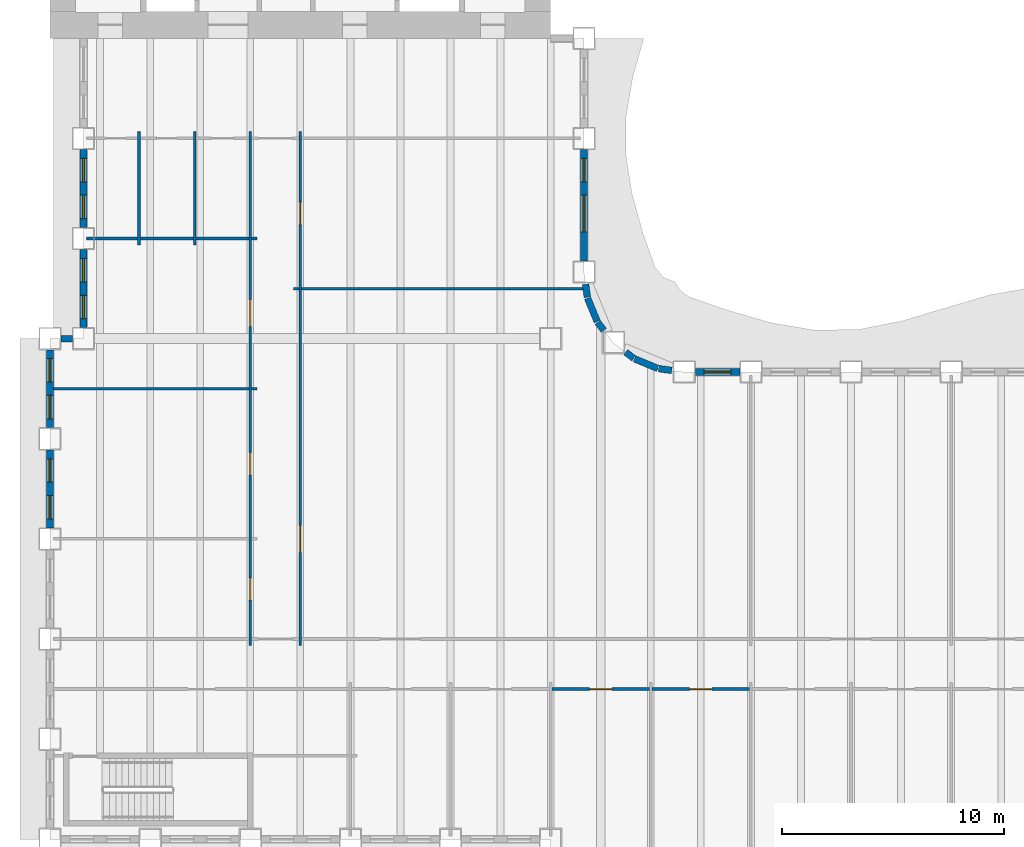
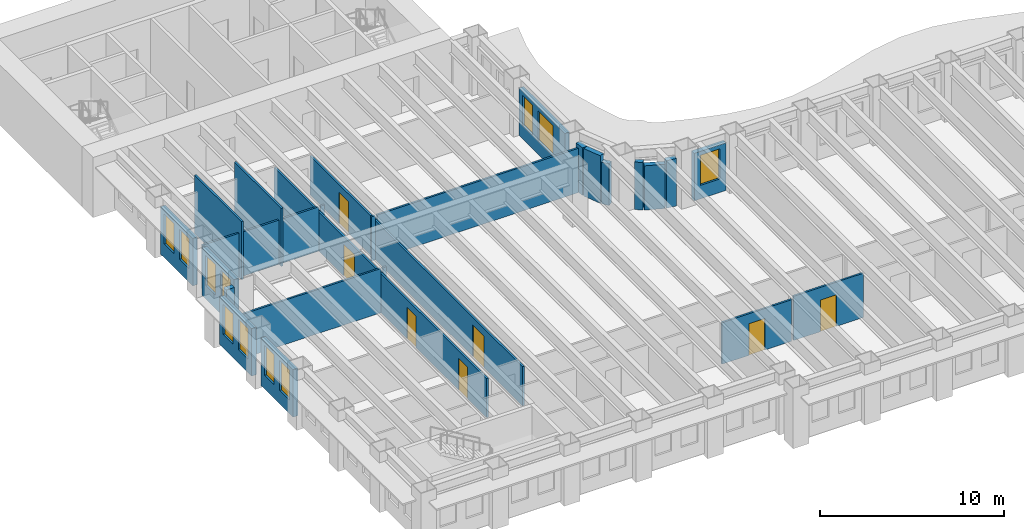
# One storey, part 4 of 16: 27 walls, 11 windows, 7 doors, 18 openings.
"""IFC4 building model written with IfcOpenShell, lengths in metres."""

from ifc_helpers import new_model, si_unit, direction, frame, frame_2d, origin, place, context, subcontext, project, spatial, rectangle, extrude, material, layer, layer_set, type_object, element, fill, save


model = new_model("IFC4")

# Units and contexts
model_context = context("Model", 3, precision=1e-05, world=origin(), true_north=direction((0.0, 1.0)))
body_context = subcontext(model_context, "Body", "Model", "MODEL_VIEW")
ifc_project = project(units=[si_unit("LENGTHUNIT", "METRE"), si_unit("AREAUNIT", "SQUARE_METRE"), si_unit("VOLUMEUNIT", "CUBIC_METRE"), si_unit("PLANEANGLEUNIT", "RADIAN"), si_unit("MASSUNIT", "GRAM", prefix="KILO")], contexts=[model_context])

# Site, building, storey
site_placement = place(None, origin())
site = spatial("IfcSite", under=ifc_project, at=site_placement, CompositionType="ELEMENT")
building_placement = place(site_placement, origin())
building = spatial("IfcBuilding", under=site, at=building_placement, Name="Sennacour Bend Tower", CompositionType="ELEMENT")
storey_placement = place(building_placement, frame((0.0, 0.0, 107.0)))
storey = spatial("IfcBuildingStorey", under=building, at=storey_placement, Name="L24", CompositionType="ELEMENT", Elevation=107.0)

# Walls
ifc_material_1 = material(Name="Plasterboard partition on steel studs", Category="steel")
ifc_layer_1 = layer(ifc_material_1, 0.1201171875, Name="Plasterboard partition on steel studs", Category="steel")
ifc_layer_set_1 = layer_set([ifc_layer_1], Name="Plasterboard partition on steel studs")
wall_type_1 = type_object("IfcWallType", Name="Partition 120", PredefinedType="PARTITIONING", material=ifc_layer_set_1)
for number, where, z_axis, x_axis, name in (
    (1, (4.0, 26.699951171875, 0.0), (0.0, 0.0, 1.0), (0.0, 1.0, 0.0), "P-L24-W004a"),
    (2, (6.5, 26.699951171875, 0.0), (0.0, 0.0, 1.0), (0.0, 1.0, 0.0), "P-L24-W007a"),
):
    element("IfcWall", number, at=place(storey_placement, frame(where, z_axis=z_axis, x_axis=x_axis)), inside=storey, type_object=wall_type_1, Name=name, PredefinedType="PARTITIONING", context=body_context, shape_type="SweptSolid", body=[
        extrude(rectangle(XDim=5.10009765625, YDim=0.1201171875, at=frame_2d((2.550048828125, 0.0))), origin(), (0.0, 0.0, 1.0), 3.85009765625),
    ])

# Wall, openings, doors
wall_1_placement = place(storey_placement, frame((9.0, 8.699951171875, 0.0), z_axis=(0.0, 0.0, 1.0), x_axis=(0.0, 1.0, 0.0)))
wall_1 = element("IfcWall", 3, at=wall_1_placement, inside=storey, type_object=wall_type_1, Name="P-L24-W010a", PredefinedType="PARTITIONING", context=body_context, shape_type="SweptSolid", body=[
    extrude(rectangle(XDim=23.10009765625, YDim=0.1201171875, at=frame_2d((11.550048828125, 0.0))), origin(), (0.0, 0.0, 1.0), 2.60009765625),
])
opening_1_placement = place(wall_1_placement, frame((2.050048828125, 0.0, 0.0)))
opening_1 = element("IfcOpeningElement", 4, at=opening_1_placement, cuts=wall_1, Name="Opening OD2", PredefinedType="OPENING", context=body_context, shape_type="SweptSolid", body=[
    extrude(rectangle(XDim=1.0, YDim=2.10009765625, at=frame_2d((0.5, 1.050048828125))), frame((0.0, 0.070068359375, 0.0), z_axis=(0.0, -1.0, 0.0), x_axis=(1.0, 0.0, 0.0)), (0.0, 0.0, 1.0), 0.14013671875),
])
opening_2_placement = place(wall_1_placement, frame((7.675048828125, 0.0, 0.0)))
opening_2 = element("IfcOpeningElement", 5, at=opening_2_placement, cuts=wall_1, Name="Opening OD2", PredefinedType="OPENING", context=body_context, shape_type="SweptSolid", body=[
    extrude(rectangle(XDim=1.0, YDim=2.10009765625, at=frame_2d((0.5, 1.050048828125))), frame((0.0, 0.070068359375, 0.0), z_axis=(0.0, -1.0, 0.0), x_axis=(1.0, 0.0, 0.0)), (0.0, 0.0, 1.0), 0.14013671875),
])
opening_3_placement = place(wall_1_placement, frame((14.35498046875, 0.0, 0.0)))
opening_3 = element("IfcOpeningElement", 6, at=opening_3_placement, cuts=wall_1, Name="Opening MD", PredefinedType="OPENING", context=body_context, shape_type="SweptSolid", body=[
    extrude(rectangle(XDim=1.199951171875, YDim=2.10009765625, at=frame_2d((0.60009765625, 1.050048828125))), frame((0.0, 0.070068359375, 0.0), z_axis=(0.0, -1.0, 0.0), x_axis=(1.0, 0.0, 0.0)), (0.0, 0.0, 1.0), 0.14013671875),
])
ifc_material_2 = material(Name="Timber", Category="wood")
door_type_1 = type_object("IfcDoorType", Name="DR-MEETING-1200", OperationType="NOTDEFINED", PredefinedType="DOOR", material=ifc_material_2)
door_1_placement = place(opening_3_placement, origin())
door_1 = element("IfcDoor", 7, at=door_1_placement, inside=storey, type_object=door_type_1, Name="Door", OperationType="SINGLE_SWING_RIGHT", OverallHeight=2.10009765625, OverallWidth=1.199951171875, PredefinedType="DOOR", context=body_context, shape_type="SweptSolid", body=[
    extrude(rectangle(XDim=1.199951171875, YDim=2.10009765625, at=frame_2d((0.60009765625, 1.050048828125))), frame((0.0, 0.02490234375, 0.0), z_axis=(0.0, -1.0, 0.0), x_axis=(1.0, 0.0, 0.0)), (0.0, 0.0, 1.0), 0.050048828125),
])
fill(opening_3, door_1)
door_type_2 = type_object("IfcDoorType", Name="DR-OFFICE-1000", OperationType="NOTDEFINED", PredefinedType="DOOR", material=ifc_material_2)
door_2_placement = place(opening_1_placement, origin())
door_2 = element("IfcDoor", 8, at=door_2_placement, inside=storey, type_object=door_type_2, Name="Door", OperationType="SINGLE_SWING_LEFT", OverallHeight=2.10009765625, OverallWidth=1.0, PredefinedType="DOOR", context=body_context, shape_type="SweptSolid", body=[
    extrude(rectangle(XDim=1.0, YDim=2.10009765625, at=frame_2d((0.5, 1.050048828125))), frame((0.0, 0.02490234375, 0.0), z_axis=(0.0, -1.0, 0.0), x_axis=(1.0, 0.0, 0.0)), (0.0, 0.0, 1.0), 0.050048828125),
])
fill(opening_1, door_2)
door_3_placement = place(opening_2_placement, origin())
door_3 = element("IfcDoor", 9, at=door_3_placement, inside=storey, type_object=door_type_2, Name="Door", OperationType="SINGLE_SWING_LEFT", OverallHeight=2.10009765625, OverallWidth=1.0, PredefinedType="DOOR", context=body_context, shape_type="SweptSolid", body=[
    extrude(rectangle(XDim=1.0, YDim=2.10009765625, at=frame_2d((0.5, 1.050048828125))), frame((0.0, 0.02490234375, 0.0), z_axis=(0.0, -1.0, 0.0), x_axis=(1.0, 0.0, 0.0)), (0.0, 0.0, 1.0), 0.050048828125),
])
fill(opening_2, door_3)

wall_2_placement = place(storey_placement, frame((11.25, 8.699951171875, 0.0), z_axis=(0.0, 0.0, 1.0), x_axis=(0.0, 1.0, 0.0)))
wall_2 = element("IfcWall", 10, at=wall_2_placement, inside=storey, type_object=wall_type_1, Name="P-L24-W012a", PredefinedType="PARTITIONING", context=body_context, shape_type="SweptSolid", body=[
    extrude(rectangle(XDim=23.10009765625, YDim=0.1201171875, at=frame_2d((11.550048828125, 0.0))), origin(), (0.0, 0.0, 1.0), 2.60009765625),
])
opening_4_placement = place(wall_2_placement, frame((18.925048828125, 0.0, 0.0)))
opening_4 = element("IfcOpeningElement", 11, at=opening_4_placement, cuts=wall_2, Name="Opening OD2", PredefinedType="OPENING", context=body_context, shape_type="SweptSolid", body=[
    extrude(rectangle(XDim=1.0, YDim=2.10009765625, at=frame_2d((0.5, 1.050048828125))), frame((0.0, 0.070068359375, 0.0), z_axis=(0.0, -1.0, 0.0), x_axis=(1.0, 0.0, 0.0)), (0.0, 0.0, 1.0), 0.14013671875),
])
opening_5_placement = place(wall_2_placement, frame((4.199951171875, 0.0, 0.0)))
opening_5 = element("IfcOpeningElement", 12, at=opening_5_placement, cuts=wall_2, Name="Opening OD", PredefinedType="OPENING", context=body_context, shape_type="SweptSolid", body=[
    extrude(rectangle(XDim=1.199951171875, YDim=2.10009765625, at=frame_2d((0.60009765625, 1.050048828125))), frame((0.0, 0.070068359375, 0.0), z_axis=(0.0, -1.0, 0.0), x_axis=(1.0, 0.0, 0.0)), (0.0, 0.0, 1.0), 0.14013671875),
])
door_4_placement = place(opening_4_placement, origin())
door_4 = element("IfcDoor", 13, at=door_4_placement, inside=storey, type_object=door_type_2, Name="Door", OperationType="SINGLE_SWING_RIGHT", OverallHeight=2.10009765625, OverallWidth=1.0, PredefinedType="DOOR", context=body_context, shape_type="SweptSolid", body=[
    extrude(rectangle(XDim=1.0, YDim=2.10009765625, at=frame_2d((0.5, 1.050048828125))), frame((0.0, 0.02490234375, 0.0), z_axis=(0.0, -1.0, 0.0), x_axis=(1.0, 0.0, 0.0)), (0.0, 0.0, 1.0), 0.050048828125),
])
fill(opening_4, door_4)
door_type_3 = type_object("IfcDoorType", Name="DR-OFFICE-1200", OperationType="NOTDEFINED", PredefinedType="DOOR", material=ifc_material_2)
door_5_placement = place(opening_5_placement, origin())
door_5 = element("IfcDoor", 14, at=door_5_placement, inside=storey, type_object=door_type_3, Name="Door", OperationType="SINGLE_SWING_LEFT", OverallHeight=2.10009765625, OverallWidth=1.199951171875, PredefinedType="DOOR", context=body_context, shape_type="SweptSolid", body=[
    extrude(rectangle(XDim=1.199951171875, YDim=2.10009765625, at=frame_2d((0.60009765625, 1.050048828125))), frame((0.0, 0.02490234375, 0.0), z_axis=(0.0, -1.0, 0.0), x_axis=(1.0, 0.0, 0.0)), (0.0, 0.0, 1.0), 0.050048828125),
])
fill(opening_5, door_5)

# Wall, opening, door
wall_3_placement = place(storey_placement, frame((22.56005859375, 6.75, 0.0), z_axis=(0.0, 0.0, 1.0), x_axis=(1.0, 0.0, 0.0)))
wall_3 = element("IfcWall", 15, at=wall_3_placement, inside=storey, type_object=wall_type_1, Name="P-L24-W056ad", PredefinedType="PARTITIONING", context=body_context, shape_type="SweptSolid", body=[
    extrude(rectangle(XDim=4.3798828125, YDim=0.1201171875, at=frame_2d((2.18994140625, 0.0))), origin(), (0.0, 0.0, 1.0), 2.760009765625),
])
opening_6_placement = place(wall_3_placement, frame((1.68994140625, 0.0, 0.0)))
opening_6 = element("IfcOpeningElement", 16, at=opening_6_placement, cuts=wall_3, Name="Opening OD2", PredefinedType="OPENING", context=body_context, shape_type="SweptSolid", body=[
    extrude(rectangle(XDim=1.0, YDim=2.10009765625, at=frame_2d((0.5, 1.050048828125))), frame((0.0, 0.070068359375, 0.0), z_axis=(0.0, -1.0, 0.0), x_axis=(1.0, 0.0, 0.0)), (0.0, 0.0, 1.0), 0.14013671875),
])
door_6_placement = place(opening_6_placement, origin())
door_6 = element("IfcDoor", 17, at=door_6_placement, inside=storey, type_object=door_type_2, Name="Door", OperationType="SINGLE_SWING_LEFT", OverallHeight=2.10009765625, OverallWidth=1.0, PredefinedType="DOOR", context=body_context, shape_type="SweptSolid", body=[
    extrude(rectangle(XDim=1.0, YDim=2.10009765625, at=frame_2d((0.5, 1.050048828125))), frame((0.0, 0.02490234375, 0.0), z_axis=(0.0, -1.0, 0.0), x_axis=(1.0, 0.0, 0.0)), (0.0, 0.0, 1.0), 0.050048828125),
])
fill(opening_6, door_6)

wall_4_placement = place(storey_placement, frame((27.06005859375, 6.75, 0.0), z_axis=(0.0, 0.0, 1.0), x_axis=(1.0, 0.0, 0.0)))
wall_4 = element("IfcWall", 18, at=wall_4_placement, inside=storey, type_object=wall_type_1, Name="P-L24-W056ae", PredefinedType="PARTITIONING", context=body_context, shape_type="SweptSolid", body=[
    extrude(rectangle(XDim=4.3798828125, YDim=0.1201171875, at=frame_2d((2.18994140625, 0.0))), origin(), (0.0, 0.0, 1.0), 2.93798828125),
])
opening_7_placement = place(wall_4_placement, frame((1.68994140625, 0.0, 0.0)))
opening_7 = element("IfcOpeningElement", 19, at=opening_7_placement, cuts=wall_4, Name="Opening MD2", PredefinedType="OPENING", context=body_context, shape_type="SweptSolid", body=[
    extrude(rectangle(XDim=1.0, YDim=2.10009765625, at=frame_2d((0.5, 1.050048828125))), frame((0.0, 0.070068359375, 0.0), z_axis=(0.0, -1.0, 0.0), x_axis=(1.0, 0.0, 0.0)), (0.0, 0.0, 1.0), 0.14013671875),
])
door_type_4 = type_object("IfcDoorType", Name="DR-MEETING-1000", OperationType="NOTDEFINED", PredefinedType="DOOR", material=ifc_material_2)
door_7_placement = place(opening_7_placement, origin())
door_7 = element("IfcDoor", 20, at=door_7_placement, inside=storey, type_object=door_type_4, Name="Door", OperationType="SINGLE_SWING_LEFT", OverallHeight=2.10009765625, OverallWidth=1.0, PredefinedType="DOOR", context=body_context, shape_type="SweptSolid", body=[
    extrude(rectangle(XDim=1.0, YDim=2.10009765625, at=frame_2d((0.5, 1.050048828125))), frame((0.0, 0.02490234375, 0.0), z_axis=(0.0, -1.0, 0.0), x_axis=(1.0, 0.0, 0.0)), (0.0, 0.0, 1.0), 0.050048828125),
])
fill(opening_7, door_7)

# Walls
wall_5_placement = place(storey_placement, frame((0.14990234375, 20.25, 0.0), z_axis=(0.0, 0.0, 1.0), x_axis=(1.0, 0.0, 0.0)))
element("IfcWall", 21, at=wall_5_placement, inside=storey, type_object=wall_type_1, Name="P-L24-W068aa", PredefinedType="PARTITIONING", context=body_context, shape_type="SweptSolid", body=[
    extrude(rectangle(XDim=8.7900390625, YDim=0.1201171875, at=frame_2d((4.39501953125, 0.0))), origin(), (0.0, 0.0, 1.0), 2.93798828125),
])
for number, where, z_axis, x_axis, name in (
    (22, (9.06005859375, 20.25, 0.0), (0.0, 0.0, 1.0), (1.0, 0.0, 0.0), "P-L24-W068ab"),
    (23, (10.949951171875, 24.75, 0.0), (0.0, 0.0, 1.0), (1.0, 0.0, 0.0), "P-L24-W070aa"),
):
    element("IfcWall", number, at=place(storey_placement, frame(where, z_axis=z_axis, x_axis=x_axis)), inside=storey, type_object=wall_type_1, Name=name, PredefinedType="PARTITIONING", context=body_context, shape_type="SweptSolid", body=[
        extrude(rectangle(XDim=0.239990234375, YDim=0.1201171875, at=frame_2d((0.1201171875, 0.0))), origin(), (0.0, 0.0, 1.0), 2.93798828125),
    ])
wall_6_placement = place(storey_placement, frame((11.31005859375, 24.75, 0.0), z_axis=(0.0, 0.0, 1.0), x_axis=(1.0, 0.0, 0.0)))
element("IfcWall", 24, at=wall_6_placement, inside=storey, type_object=wall_type_1, Name="P-L24-W070ab", PredefinedType="PARTITIONING", context=body_context, shape_type="SweptSolid", body=[
    extrude(rectangle(XDim=12.637451171875, YDim=0.1201171875, at=frame_2d((6.31884765625, 0.0))), origin(), (0.0, 0.0, 1.0), 2.93798828125),
])
wall_7_placement = place(storey_placement, frame((1.64990234375, 27.0, 0.0), z_axis=(0.0, 0.0, 1.0), x_axis=(1.0, 0.0, 0.0)))
element("IfcWall", 25, at=wall_7_placement, inside=storey, type_object=wall_type_1, Name="P-L24-W072aa", PredefinedType="PARTITIONING", context=body_context, shape_type="SweptSolid", body=[
    extrude(rectangle(XDim=2.2900390625, YDim=0.1201171875, at=frame_2d((1.14501953125, 0.0))), origin(), (0.0, 0.0, 1.0), 2.93798828125),
])
for number, where, z_axis, x_axis, name in (
    (26, (4.06005859375, 27.0, 0.0), (0.0, 0.0, 1.0), (1.0, 0.0, 0.0), "P-L24-W072ab"),
    (27, (6.56005859375, 27.0, 0.0), (0.0, 0.0, 1.0), (1.0, 0.0, 0.0), "P-L24-W072ac"),
):
    element("IfcWall", number, at=place(storey_placement, frame(where, z_axis=z_axis, x_axis=x_axis)), inside=storey, type_object=wall_type_1, Name=name, PredefinedType="PARTITIONING", context=body_context, shape_type="SweptSolid", body=[
        extrude(rectangle(XDim=2.3798828125, YDim=0.1201171875, at=frame_2d((1.18994140625, 0.0))), origin(), (0.0, 0.0, 1.0), 2.93798828125),
    ])
wall_8_placement = place(storey_placement, frame((9.06005859375, 27.0, 0.0), z_axis=(0.0, 0.0, 1.0), x_axis=(1.0, 0.0, 0.0)))
element("IfcWall", 28, at=wall_8_placement, inside=storey, type_object=wall_type_1, Name="P-L24-W072ad", PredefinedType="PARTITIONING", context=body_context, shape_type="SweptSolid", body=[
    extrude(rectangle(XDim=0.239990234375, YDim=0.1201171875, at=frame_2d((0.1201171875, 0.0))), origin(), (0.0, 0.0, 1.0), 2.93798828125),
])

# Wall, opening, window
ifc_material_3 = material(Name="Warm limestone cladding", Category="masonry")
ifc_layer_2 = layer(ifc_material_3, 0.050048828125, Name="Warm limestone cladding", Category="masonry")
ifc_material_4 = material(Name="Precast concrete C40/50", Category="concrete")
ifc_layer_3 = layer(ifc_material_4, 0.25, Name="Precast concrete C40/50", Category="concrete")
ifc_layer_set_2 = layer_set([ifc_layer_2, ifc_layer_3], Name="Precast concrete C40/50 with limestone cladding")
wall_type_2 = type_object("IfcWallType", Name="STONE-CLAD PRECAST SPANDREL 300", PredefinedType="STANDARD", material=ifc_layer_set_2)
wall_9_placement = place(storey_placement, frame((31.0, 21.0, 0.0), z_axis=(0.0, 0.0, 1.0), x_axis=(-1.0, 0.0, 0.0)))
wall_9 = element("IfcWall", 29, at=wall_9_placement, inside=storey, type_object=wall_type_2, Name="Stone spandrel and pier wall L24 06.05", PredefinedType="STANDARD", context=body_context, shape_type="SweptSolid", body=[
    extrude(rectangle(XDim=2.0, YDim=0.300048828125, at=frame_2d((1.0, 0.0))), origin(), (0.0, 0.0, 1.0), 3.154052734375),
])
opening_8_placement = place(wall_9_placement, frame((0.39990234375, 0.0, 0.89990234375)))
opening_8 = element("IfcOpeningElement", 30, at=opening_8_placement, cuts=wall_9, Name="Opening W14", PredefinedType="OPENING", context=body_context, shape_type="SweptSolid", body=[
    extrude(rectangle(XDim=1.199951171875, YDim=2.0, at=frame_2d((0.60009765625, 1.0))), frame((0.0, 0.16015625, 0.0), z_axis=(0.0, -1.0, 0.0), x_axis=(1.0, 0.0, 0.0)), (0.0, 0.0, 1.0), 0.320068359375),
])
ifc_material_5 = material(Name="Clear low-emissivity glass", Category="glass")
window_type_1 = type_object("IfcWindowType", Name="WIN-RIBBON-1200x2000", PartitioningType="SINGLE_PANEL", PredefinedType="WINDOW", material=ifc_material_5)
window_1_placement = place(opening_8_placement, origin())
window_1 = element("IfcWindow", 31, at=window_1_placement, inside=storey, type_object=window_type_1, Name="Ribbon window L24 06.05", OverallHeight=2.0, OverallWidth=1.199951171875, PartitioningType="SINGLE_PANEL", PredefinedType="WINDOW", context=body_context, shape_type="SweptSolid", body=[
    extrude(rectangle(XDim=1.199951171875, YDim=2.0, at=frame_2d((0.60009765625, 1.0))), frame((0.0, 0.030029296875, 0.0), z_axis=(0.0, -1.0, 0.0), x_axis=(1.0, 0.0, 0.0)), (0.0, 0.0, 1.0), 0.06005859375),
])
fill(opening_8, window_1)

# Walls
wall_10_placement = place(storey_placement, frame((27.94384765625, 21.0732421875, 0.0), z_axis=(0.0, 0.0, 1.0), x_axis=(-0.991420685839, 0.130709692412, 0.0)))
element("IfcWall", 32, at=wall_10_placement, inside=storey, type_object=wall_type_2, Name="Stone spandrel and pier wall L24 07.00", PredefinedType="STANDARD", context=body_context, shape_type="SweptSolid", body=[
    extrude(rectangle(XDim=0.593994140625, YDim=0.300048828125, at=frame_2d((0.296875, 0.0))), origin(), (0.0, 0.0, 1.0), 3.154052734375),
])
wall_11_placement = place(storey_placement, frame((27.317138671875, 21.160888671875, 0.0), z_axis=(0.0, 0.0, 1.0), x_axis=(-0.923914616768, 0.382598720491, 0.0)))
element("IfcWall", 33, at=wall_11_placement, inside=storey, type_object=wall_type_2, Name="Stone spandrel and pier wall L24 08.00", PredefinedType="STANDARD", context=body_context, shape_type="SweptSolid", body=[
    extrude(rectangle(XDim=1.13525390625, YDim=0.300048828125, at=frame_2d((0.567626953125, 0.0))), origin(), (0.0, 0.0, 1.0), 2.93798828125),
])
wall_12_placement = place(storey_placement, frame((26.234375, 21.614990234375, 0.0), z_axis=(0.0, 0.0, 1.0), x_axis=(-0.793563062559, 0.608488016104, 0.0)))
element("IfcWall", 34, at=wall_12_placement, inside=storey, type_object=wall_type_2, Name="Stone spandrel and pier wall L24 09.00", PredefinedType="STANDARD", context=body_context, shape_type="SweptSolid", body=[
    extrude(rectangle(XDim=0.453857421875, YDim=0.300048828125, at=frame_2d((0.22705078125, 0.0))), origin(), (0.0, 0.0, 1.0), 3.154052734375),
])
wall_13_placement = place(storey_placement, frame((24.89111328125, 22.874267578125, 0.0), z_axis=(0.0, 0.0, 1.0), x_axis=(-0.608488016104, 0.793563062559, 0.0)))
element("IfcWall", 35, at=wall_13_placement, inside=storey, type_object=wall_type_2, Name="Stone spandrel and pier wall L24 10.00", PredefinedType="STANDARD", context=body_context, shape_type="SweptSolid", body=[
    extrude(rectangle(XDim=0.453857421875, YDim=0.300048828125, at=frame_2d((0.22705078125, 0.0))), origin(), (0.0, 0.0, 1.0), 2.760009765625),
])
wall_14_placement = place(storey_placement, frame((24.59521484375, 23.268310546875, 0.0), z_axis=(0.0, 0.0, 1.0), x_axis=(-0.382598720491, 0.923914616768, 0.0)))
element("IfcWall", 36, at=wall_14_placement, inside=storey, type_object=wall_type_2, Name="Stone spandrel and pier wall L24 11.00", PredefinedType="STANDARD", context=body_context, shape_type="SweptSolid", body=[
    extrude(rectangle(XDim=1.13525390625, YDim=0.300048828125, at=frame_2d((0.567626953125, 0.0))), origin(), (0.0, 0.0, 1.0), 3.154052734375),
])
wall_15_placement = place(storey_placement, frame((24.15087890625, 24.35498046875, 0.0), z_axis=(0.0, 0.0, 1.0), x_axis=(-0.130709692412, 0.991420685839, 0.0)))
element("IfcWall", 37, at=wall_15_placement, inside=storey, type_object=wall_type_2, Name="Stone spandrel and pier wall L24 12.00", PredefinedType="STANDARD", context=body_context, shape_type="SweptSolid", body=[
    extrude(rectangle(XDim=0.593994140625, YDim=0.300048828125, at=frame_2d((0.296875, 0.0))), origin(), (0.0, 0.0, 1.0), 3.154052734375),
])

# Wall, openings, windows
wall_16_placement = place(storey_placement, frame((24.0, 26.0, 0.0), z_axis=(0.0, 0.0, 1.0), x_axis=(0.0, 1.0, 0.0)))
wall_16 = element("IfcWall", 38, at=wall_16_placement, inside=storey, type_object=wall_type_2, Name="Stone spandrel and pier wall L24 13.00", PredefinedType="STANDARD", context=body_context, shape_type="SweptSolid", body=[
    extrude(rectangle(XDim=5.0, YDim=0.300048828125, at=frame_2d((2.5, 0.0))), origin(), (0.0, 0.0, 1.0), 3.154052734375),
])
opening_9_placement = place(wall_16_placement, frame((1.300048828125, 0.0, 0.89990234375)))
opening_9 = element("IfcOpeningElement", 39, at=opening_9_placement, cuts=wall_16, Name="Opening W10", PredefinedType="OPENING", context=body_context, shape_type="SweptSolid", body=[
    extrude(rectangle(XDim=1.64990234375, YDim=2.0, at=frame_2d((0.824951171875, 1.0))), frame((0.0, 0.16015625, 0.0), z_axis=(0.0, -1.0, 0.0), x_axis=(1.0, 0.0, 0.0)), (0.0, 0.0, 1.0), 0.320068359375),
])
opening_10_placement = place(wall_16_placement, frame((3.550048828125, 0.0, 0.89990234375)))
opening_10 = element("IfcOpeningElement", 40, at=opening_10_placement, cuts=wall_16, Name="Opening W13", PredefinedType="OPENING", context=body_context, shape_type="SweptSolid", body=[
    extrude(rectangle(XDim=1.050048828125, YDim=2.0, at=frame_2d((0.52490234375, 1.0))), frame((0.0, 0.16015625, 0.0), z_axis=(0.0, -1.0, 0.0), x_axis=(1.0, 0.0, 0.0)), (0.0, 0.0, 1.0), 0.320068359375),
])
window_type_2 = type_object("IfcWindowType", Name="WIN-RIBBON-1050x2000", PartitioningType="SINGLE_PANEL", PredefinedType="WINDOW", material=ifc_material_5)
window_2_placement = place(opening_10_placement, origin())
window_2 = element("IfcWindow", 41, at=window_2_placement, inside=storey, type_object=window_type_2, Name="Ribbon window L24 13.00.1", OverallHeight=2.0, OverallWidth=1.050048828125, PartitioningType="SINGLE_PANEL", PredefinedType="WINDOW", context=body_context, shape_type="SweptSolid", body=[
    extrude(rectangle(XDim=1.050048828125, YDim=2.0, at=frame_2d((0.52490234375, 1.0))), frame((0.0, 0.030029296875, 0.0), z_axis=(0.0, -1.0, 0.0), x_axis=(1.0, 0.0, 0.0)), (0.0, 0.0, 1.0), 0.06005859375),
])
fill(opening_10, window_2)
window_type_3 = type_object("IfcWindowType", Name="WIN-RIBBON-1650x2000", PartitioningType="SINGLE_PANEL", PredefinedType="WINDOW", material=ifc_material_5)
window_3_placement = place(opening_9_placement, origin())
window_3 = element("IfcWindow", 42, at=window_3_placement, inside=storey, type_object=window_type_3, Name="Ribbon window L24 13.00.0", OverallHeight=2.0, OverallWidth=1.64990234375, PartitioningType="SINGLE_PANEL", PredefinedType="WINDOW", context=body_context, shape_type="SweptSolid", body=[
    extrude(rectangle(XDim=1.64990234375, YDim=2.0, at=frame_2d((0.824951171875, 1.0))), frame((0.0, 0.030029296875, 0.0), z_axis=(0.0, -1.0, 0.0), x_axis=(1.0, 0.0, 0.0)), (0.0, 0.0, 1.0), 0.06005859375),
])
fill(opening_9, window_3)

wall_17_placement = place(storey_placement, frame((1.5, 31.0, 0.0), z_axis=(0.0, 0.0, 1.0), x_axis=(0.0, -1.0, 0.0)))
wall_17 = element("IfcWall", 43, at=wall_17_placement, inside=storey, type_object=wall_type_2, Name="Stone spandrel and pier wall L24 19.01", PredefinedType="STANDARD", context=body_context, shape_type="SweptSolid", body=[
    extrude(rectangle(XDim=3.5, YDim=0.300048828125, at=frame_2d((1.75, 0.0))), origin(), (0.0, 0.0, 1.0), 3.154052734375),
])
opening_11_placement = place(wall_17_placement, frame((0.39990234375, 0.0, 0.89990234375)))
opening_11 = element("IfcOpeningElement", 44, at=opening_11_placement, cuts=wall_17, Name="Opening W13", PredefinedType="OPENING", context=body_context, shape_type="SweptSolid", body=[
    extrude(rectangle(XDim=1.050048828125, YDim=2.0, at=frame_2d((0.52490234375, 1.0))), frame((0.0, 0.16015625, 0.0), z_axis=(0.0, -1.0, 0.0), x_axis=(1.0, 0.0, 0.0)), (0.0, 0.0, 1.0), 0.320068359375),
])
opening_12_placement = place(wall_17_placement, frame((2.050048828125, 0.0, 0.89990234375)))
opening_12 = element("IfcOpeningElement", 45, at=opening_12_placement, cuts=wall_17, Name="Opening W13", PredefinedType="OPENING", context=body_context, shape_type="SweptSolid", body=[
    extrude(rectangle(XDim=1.050048828125, YDim=2.0, at=frame_2d((0.52490234375, 1.0))), frame((0.0, 0.16015625, 0.0), z_axis=(0.0, -1.0, 0.0), x_axis=(1.0, 0.0, 0.0)), (0.0, 0.0, 1.0), 0.320068359375),
])
window_4_placement = place(opening_11_placement, origin())
window_4 = element("IfcWindow", 46, at=window_4_placement, inside=storey, type_object=window_type_2, Name="Ribbon window L24 19.01.0", OverallHeight=2.0, OverallWidth=1.050048828125, PartitioningType="SINGLE_PANEL", PredefinedType="WINDOW", context=body_context, shape_type="SweptSolid", body=[
    extrude(rectangle(XDim=1.050048828125, YDim=2.0, at=frame_2d((0.52490234375, 1.0))), frame((0.0, 0.030029296875, 0.0), z_axis=(0.0, -1.0, 0.0), x_axis=(1.0, 0.0, 0.0)), (0.0, 0.0, 1.0), 0.06005859375),
])
fill(opening_11, window_4)
window_5_placement = place(opening_12_placement, origin())
window_5 = element("IfcWindow", 47, at=window_5_placement, inside=storey, type_object=window_type_2, Name="Ribbon window L24 19.01.1", OverallHeight=2.0, OverallWidth=1.050048828125, PartitioningType="SINGLE_PANEL", PredefinedType="WINDOW", context=body_context, shape_type="SweptSolid", body=[
    extrude(rectangle(XDim=1.050048828125, YDim=2.0, at=frame_2d((0.52490234375, 1.0))), frame((0.0, 0.030029296875, 0.0), z_axis=(0.0, -1.0, 0.0), x_axis=(1.0, 0.0, 0.0)), (0.0, 0.0, 1.0), 0.06005859375),
])
fill(opening_12, window_5)

wall_18_placement = place(storey_placement, frame((1.5, 26.5, 0.0), z_axis=(0.0, 0.0, 1.0), x_axis=(0.0, -1.0, 0.0)))
wall_18 = element("IfcWall", 48, at=wall_18_placement, inside=storey, type_object=wall_type_2, Name="Stone spandrel and pier wall L24 19.02", PredefinedType="STANDARD", context=body_context, shape_type="SweptSolid", body=[
    extrude(rectangle(XDim=3.5, YDim=0.300048828125, at=frame_2d((1.75, 0.0))), origin(), (0.0, 0.0, 1.0), 3.154052734375),
])
opening_13_placement = place(wall_18_placement, frame((0.39990234375, 0.0, 0.89990234375)))
opening_13 = element("IfcOpeningElement", 49, at=opening_13_placement, cuts=wall_18, Name="Opening W13", PredefinedType="OPENING", context=body_context, shape_type="SweptSolid", body=[
    extrude(rectangle(XDim=1.050048828125, YDim=2.0, at=frame_2d((0.52490234375, 1.0))), frame((0.0, 0.16015625, 0.0), z_axis=(0.0, -1.0, 0.0), x_axis=(1.0, 0.0, 0.0)), (0.0, 0.0, 1.0), 0.320068359375),
])
opening_14_placement = place(wall_18_placement, frame((2.050048828125, 0.0, 0.89990234375)))
opening_14 = element("IfcOpeningElement", 50, at=opening_14_placement, cuts=wall_18, Name="Opening W13", PredefinedType="OPENING", context=body_context, shape_type="SweptSolid", body=[
    extrude(rectangle(XDim=1.050048828125, YDim=2.0, at=frame_2d((0.52490234375, 1.0))), frame((0.0, 0.16015625, 0.0), z_axis=(0.0, -1.0, 0.0), x_axis=(1.0, 0.0, 0.0)), (0.0, 0.0, 1.0), 0.320068359375),
])
window_6_placement = place(opening_13_placement, origin())
window_6 = element("IfcWindow", 51, at=window_6_placement, inside=storey, type_object=window_type_2, Name="Ribbon window L24 19.02.0", OverallHeight=2.0, OverallWidth=1.050048828125, PartitioningType="SINGLE_PANEL", PredefinedType="WINDOW", context=body_context, shape_type="SweptSolid", body=[
    extrude(rectangle(XDim=1.050048828125, YDim=2.0, at=frame_2d((0.52490234375, 1.0))), frame((0.0, 0.030029296875, 0.0), z_axis=(0.0, -1.0, 0.0), x_axis=(1.0, 0.0, 0.0)), (0.0, 0.0, 1.0), 0.06005859375),
])
fill(opening_13, window_6)
window_7_placement = place(opening_14_placement, origin())
window_7 = element("IfcWindow", 52, at=window_7_placement, inside=storey, type_object=window_type_2, Name="Ribbon window L24 19.02.1", OverallHeight=2.0, OverallWidth=1.050048828125, PartitioningType="SINGLE_PANEL", PredefinedType="WINDOW", context=body_context, shape_type="SweptSolid", body=[
    extrude(rectangle(XDim=1.050048828125, YDim=2.0, at=frame_2d((0.52490234375, 1.0))), frame((0.0, 0.030029296875, 0.0), z_axis=(0.0, -1.0, 0.0), x_axis=(1.0, 0.0, 0.0)), (0.0, 0.0, 1.0), 0.06005859375),
])
fill(opening_14, window_7)

# Wall
wall_19_placement = place(storey_placement, frame((1.0, 22.5, 0.0), z_axis=(0.0, 0.0, 1.0), x_axis=(-1.0, 0.0, 0.0)))
element("IfcWall", 53, at=wall_19_placement, inside=storey, type_object=wall_type_2, Name="Stone spandrel and pier wall L24 20.00", PredefinedType="STANDARD", context=body_context, shape_type="SweptSolid", body=[
    extrude(rectangle(XDim=0.5, YDim=0.300048828125, at=frame_2d((0.25, 0.0))), origin(), (0.0, 0.0, 1.0), 3.154052734375),
])

# Wall, openings, windows
wall_20_placement = place(storey_placement, frame((0.0, 22.0, 0.0), z_axis=(0.0, 0.0, 1.0), x_axis=(0.0, -1.0, 0.0)))
wall_20 = element("IfcWall", 54, at=wall_20_placement, inside=storey, type_object=wall_type_2, Name="Stone spandrel and pier wall L24 21.00", PredefinedType="STANDARD", context=body_context, shape_type="SweptSolid", body=[
    extrude(rectangle(XDim=3.5, YDim=0.300048828125, at=frame_2d((1.75, 0.0))), origin(), (0.0, 0.0, 1.0), 3.154052734375),
])
opening_15_placement = place(wall_20_placement, frame((0.39990234375, 0.0, 0.89990234375)))
opening_15 = element("IfcOpeningElement", 55, at=opening_15_placement, cuts=wall_20, Name="Opening W13", PredefinedType="OPENING", context=body_context, shape_type="SweptSolid", body=[
    extrude(rectangle(XDim=1.050048828125, YDim=2.0, at=frame_2d((0.52490234375, 1.0))), frame((0.0, 0.16015625, 0.0), z_axis=(0.0, -1.0, 0.0), x_axis=(1.0, 0.0, 0.0)), (0.0, 0.0, 1.0), 0.320068359375),
])
opening_16_placement = place(wall_20_placement, frame((2.050048828125, 0.0, 0.89990234375)))
opening_16 = element("IfcOpeningElement", 56, at=opening_16_placement, cuts=wall_20, Name="Opening W13", PredefinedType="OPENING", context=body_context, shape_type="SweptSolid", body=[
    extrude(rectangle(XDim=1.050048828125, YDim=2.0, at=frame_2d((0.52490234375, 1.0))), frame((0.0, 0.16015625, 0.0), z_axis=(0.0, -1.0, 0.0), x_axis=(1.0, 0.0, 0.0)), (0.0, 0.0, 1.0), 0.320068359375),
])
window_8_placement = place(opening_15_placement, origin())
window_8 = element("IfcWindow", 57, at=window_8_placement, inside=storey, type_object=window_type_2, Name="Ribbon window L24 21.00.0", OverallHeight=2.0, OverallWidth=1.050048828125, PartitioningType="SINGLE_PANEL", PredefinedType="WINDOW", context=body_context, shape_type="SweptSolid", body=[
    extrude(rectangle(XDim=1.050048828125, YDim=2.0, at=frame_2d((0.52490234375, 1.0))), frame((0.0, 0.030029296875, 0.0), z_axis=(0.0, -1.0, 0.0), x_axis=(1.0, 0.0, 0.0)), (0.0, 0.0, 1.0), 0.06005859375),
])
fill(opening_15, window_8)
window_9_placement = place(opening_16_placement, origin())
window_9 = element("IfcWindow", 58, at=window_9_placement, inside=storey, type_object=window_type_2, Name="Ribbon window L24 21.00.1", OverallHeight=2.0, OverallWidth=1.050048828125, PartitioningType="SINGLE_PANEL", PredefinedType="WINDOW", context=body_context, shape_type="SweptSolid", body=[
    extrude(rectangle(XDim=1.050048828125, YDim=2.0, at=frame_2d((0.52490234375, 1.0))), frame((0.0, 0.030029296875, 0.0), z_axis=(0.0, -1.0, 0.0), x_axis=(1.0, 0.0, 0.0)), (0.0, 0.0, 1.0), 0.06005859375),
])
fill(opening_16, window_9)

wall_21_placement = place(storey_placement, frame((0.0, 17.5, 0.0), z_axis=(0.0, 0.0, 1.0), x_axis=(0.0, -1.0, 0.0)))
wall_21 = element("IfcWall", 59, at=wall_21_placement, inside=storey, type_object=wall_type_2, Name="Stone spandrel and pier wall L24 21.01", PredefinedType="STANDARD", context=body_context, shape_type="SweptSolid", body=[
    extrude(rectangle(XDim=3.5, YDim=0.300048828125, at=frame_2d((1.75, 0.0))), origin(), (0.0, 0.0, 1.0), 3.154052734375),
])
opening_17_placement = place(wall_21_placement, frame((0.39990234375, 0.0, 0.89990234375)))
opening_17 = element("IfcOpeningElement", 60, at=opening_17_placement, cuts=wall_21, Name="Opening W13", PredefinedType="OPENING", context=body_context, shape_type="SweptSolid", body=[
    extrude(rectangle(XDim=1.050048828125, YDim=2.0, at=frame_2d((0.52490234375, 1.0))), frame((0.0, 0.16015625, 0.0), z_axis=(0.0, -1.0, 0.0), x_axis=(1.0, 0.0, 0.0)), (0.0, 0.0, 1.0), 0.320068359375),
])
opening_18_placement = place(wall_21_placement, frame((2.050048828125, 0.0, 0.89990234375)))
opening_18 = element("IfcOpeningElement", 61, at=opening_18_placement, cuts=wall_21, Name="Opening W13", PredefinedType="OPENING", context=body_context, shape_type="SweptSolid", body=[
    extrude(rectangle(XDim=1.050048828125, YDim=2.0, at=frame_2d((0.52490234375, 1.0))), frame((0.0, 0.16015625, 0.0), z_axis=(0.0, -1.0, 0.0), x_axis=(1.0, 0.0, 0.0)), (0.0, 0.0, 1.0), 0.320068359375),
])
window_10_placement = place(opening_17_placement, origin())
window_10 = element("IfcWindow", 62, at=window_10_placement, inside=storey, type_object=window_type_2, Name="Ribbon window L24 21.01.0", OverallHeight=2.0, OverallWidth=1.050048828125, PartitioningType="SINGLE_PANEL", PredefinedType="WINDOW", context=body_context, shape_type="SweptSolid", body=[
    extrude(rectangle(XDim=1.050048828125, YDim=2.0, at=frame_2d((0.52490234375, 1.0))), frame((0.0, 0.030029296875, 0.0), z_axis=(0.0, -1.0, 0.0), x_axis=(1.0, 0.0, 0.0)), (0.0, 0.0, 1.0), 0.06005859375),
])
fill(opening_17, window_10)
window_11_placement = place(opening_18_placement, origin())
window_11 = element("IfcWindow", 63, at=window_11_placement, inside=storey, type_object=window_type_2, Name="Ribbon window L24 21.01.1", OverallHeight=2.0, OverallWidth=1.050048828125, PartitioningType="SINGLE_PANEL", PredefinedType="WINDOW", context=body_context, shape_type="SweptSolid", body=[
    extrude(rectangle(XDim=1.050048828125, YDim=2.0, at=frame_2d((0.52490234375, 1.0))), frame((0.0, 0.030029296875, 0.0), z_axis=(0.0, -1.0, 0.0), x_axis=(1.0, 0.0, 0.0)), (0.0, 0.0, 1.0), 0.06005859375),
])
fill(opening_18, window_11)

save(model, "model.ifc")
